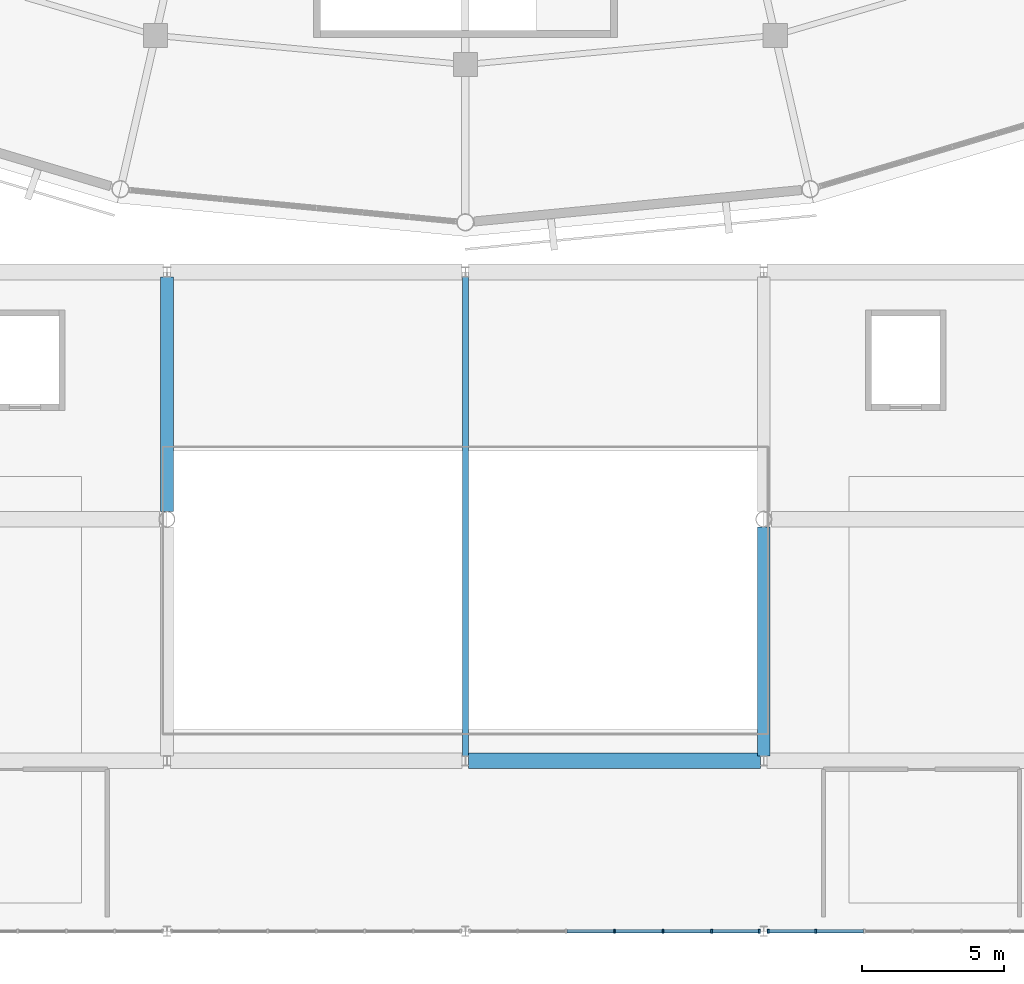
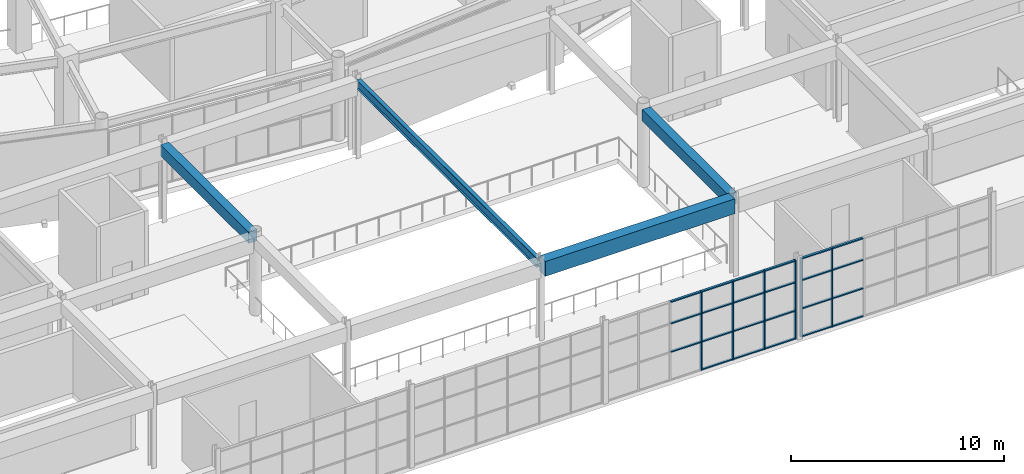
# One storey, part 26 of 112: 29 members, 4 beams, 2 elements without a shape of their own.
"""IFC4 building model written with IfcOpenShell, lengths in metres."""

from ifc_helpers import new_model, si_unit, direction, frame, origin, origin_2d, place, context, subcontext, project, spatial, rectangle, i_section, extrude, material, material_profile, profile_set, type_object, element, aggregate, save


model = new_model("IFC4")

# Units and contexts
model_context = context("Model", 3, precision=1e-05, world=origin(), true_north=direction((0.0, 1.0)))
body_context = subcontext(model_context, "Body", "Model", "MODEL_VIEW")
ifc_project = project(units=[si_unit("LENGTHUNIT", "METRE"), si_unit("AREAUNIT", "SQUARE_METRE"), si_unit("VOLUMEUNIT", "CUBIC_METRE"), si_unit("PLANEANGLEUNIT", "RADIAN"), si_unit("MASSUNIT", "GRAM", prefix="KILO")], contexts=[model_context])

# Site, building, storey
site_placement = place(None, origin())
site = spatial("IfcSite", under=ifc_project, at=site_placement, CompositionType="ELEMENT")
building_placement = place(site_placement, origin())
building = spatial("IfcBuilding", under=site, at=building_placement, Name="Cuetzalor Civic Arena", CompositionType="ELEMENT")
storey_placement = place(building_placement, frame((0.0, 0.0, 11.39990234375)))
storey = spatial("IfcBuildingStorey", under=building, at=storey_placement, Name="L02", CompositionType="ELEMENT", Elevation=11.39990234375)

# Beams
ifc_material_1 = material(Name="Concrete C40/50", Category="concrete")
ifc_material_profile_1 = material_profile(ifc_material_1, rectangle(XDim=0.550048828125, YDim=0.85009765625, at=origin_2d()), Name="RC 550x850")
ifc_profile_set_1 = profile_set([ifc_material_profile_1], Name="Concrete C40/50")
beam_type_1 = type_object("IfcBeamType", Name="ConcreteFrameBeam_550x850", PredefinedType="BEAM", material=ifc_profile_set_1)
beam_1_placement = place(storey_placement, frame((0.118408203125, -65.5, 4.09521484375), z_axis=(1.0, 0.0, 0.0), x_axis=(0.0, 1.0, 0.0)))
element("IfcBeam", 1, at=beam_1_placement, inside=storey, type_object=beam_type_1, Name="Frame Girder V3-L02-X0583", PredefinedType="BEAM", context=body_context, shape_type="SweptSolid", body=[
    extrude(rectangle(XDim=0.550048828125, YDim=0.85009765625, at=origin_2d()), origin(), (0.0, 0.0, 1.0), 10.26318359375),
])
ifc_material_2 = material(Name="Concrete C40/50", Category="concrete")
ifc_material_profile_2 = material_profile(ifc_material_2, rectangle(XDim=0.449951171875, YDim=0.64990234375, at=origin_2d()), Name="RC 450x650")
ifc_profile_set_2 = profile_set([ifc_material_profile_2], Name="Concrete C40/50")
beam_type_2 = type_object("IfcBeamType", Name="ConcreteTieBeam_450x650", PredefinedType="BEAM", material=ifc_profile_set_2)
beam_2_placement = place(storey_placement, frame((-10.5, -56.73046875, 4.195068359375), z_axis=(0.0, 1.0, 0.0), x_axis=(-1.0, 0.0, 0.0)))
element("IfcBeam", 2, at=beam_2_placement, inside=storey, type_object=beam_type_2, Name="Frame Girder V3-L02-Y0610", PredefinedType="BEAM", context=body_context, shape_type="SweptSolid", body=[
    extrude(rectangle(XDim=0.449951171875, YDim=0.64990234375, at=origin_2d()), origin(), (0.0, 0.0, 1.0), 8.259033203125),
])
beam_3_placement = place(storey_placement, frame((10.5, -65.32861328125, 4.195068359375), z_axis=(0.0, 1.0, 0.0), x_axis=(-1.0, 0.0, 0.0)))
element("IfcBeam", 3, at=beam_3_placement, inside=storey, type_object=beam_type_2, Name="Frame Girder V3-L02-Y0612", PredefinedType="BEAM", context=body_context, shape_type="SweptSolid", body=[
    extrude(rectangle(XDim=0.449951171875, YDim=0.64990234375, at=origin_2d()), origin(), (0.0, 0.0, 1.0), 8.05908203125),
])

# Curtain wall, members
ifc_material_3 = material(Name="Anodised dark bronze aluminium and low-E solar glass", Category="aluminium")
curtain_wall_type = type_object("IfcCurtainWallType", Name="StickCW_10250x4500", PredefinedType="USERDEFINED", material=ifc_material_3)
curtain_wall_1_placement = place(storey_placement, origin())
curtain_wall_1 = element("IfcCurtainWall", 4, at=curtain_wall_1_placement, inside=storey, type_object=curtain_wall_type, Name="South Civic Square Curtain Wall L02-089", ObjectType="STICK CURTAIN WALL", PredefinedType="USERDEFINED")
ifc_material_4 = material(Name="Anodised dark bronze aluminium", Category="aluminium")
ifc_material_profile_3 = material_profile(ifc_material_4, rectangle(XDim=0.06494140625, YDim=0.14990234375, at=origin_2d()), Name="ALU MULLION 65x150")
ifc_profile_set_3 = profile_set([ifc_material_profile_3], Name="Anodised dark bronze aluminium")
member_type_1 = type_object("IfcMemberType", Name="CurtainWallMullion_60x150", PredefinedType="MULLION", material=ifc_profile_set_3)
member_1_placement = place(storey_placement, frame((10.343017578125, -71.5, 0.0), z_axis=(0.0, 0.0, 1.0), x_axis=(-1.0, 0.0, 0.0)))
member_1 = element("IfcMember", 5, at=member_1_placement, type_object=member_type_1, Name="CW-27 mullion 1", PredefinedType="MULLION", context=body_context, shape_type="SweptSolid", body=[
    extrude(rectangle(XDim=0.06494140625, YDim=0.14990234375, at=origin_2d()), origin(), (0.0, 0.0, 1.0), 4.52001953125),
])
member_2_placement = place(storey_placement, frame((8.6669921875, -71.5, 0.0), z_axis=(0.0, 0.0, 1.0), x_axis=(-1.0, 0.0, 0.0)))
member_2 = element("IfcMember", 6, at=member_2_placement, type_object=member_type_1, Name="CW-27 mullion 2", PredefinedType="MULLION", context=body_context, shape_type="SweptSolid", body=[
    extrude(rectangle(XDim=0.06494140625, YDim=0.14990234375, at=origin_2d()), origin(), (0.0, 0.0, 1.0), 4.52001953125),
])
member_3_placement = place(storey_placement, frame((6.95849609375, -71.5, 0.0), z_axis=(0.0, 0.0, 1.0), x_axis=(-1.0, 0.0, 0.0)))
member_3 = element("IfcMember", 7, at=member_3_placement, type_object=member_type_1, Name="CW-27 mullion 3", PredefinedType="MULLION", context=body_context, shape_type="SweptSolid", body=[
    extrude(rectangle(XDim=0.06494140625, YDim=0.14990234375, at=origin_2d()), origin(), (0.0, 0.0, 1.0), 4.52001953125),
])
member_4_placement = place(storey_placement, frame((5.25, -71.5, 0.0), z_axis=(0.0, 0.0, 1.0), x_axis=(-1.0, 0.0, 0.0)))
member_4 = element("IfcMember", 8, at=member_4_placement, type_object=member_type_1, Name="CW-27 mullion 4", PredefinedType="MULLION", context=body_context, shape_type="SweptSolid", body=[
    extrude(rectangle(XDim=0.06494140625, YDim=0.14990234375, at=origin_2d()), origin(), (0.0, 0.0, 1.0), 4.52001953125),
])

curtain_wall_2_placement = place(storey_placement, origin())
curtain_wall_2 = element("IfcCurtainWall", 9, at=curtain_wall_2_placement, inside=storey, type_object=curtain_wall_type, Name="South Civic Square Curtain Wall L02-090", ObjectType="STICK CURTAIN WALL", PredefinedType="USERDEFINED")
member_5_placement = place(storey_placement, frame((12.3330078125, -71.5, 0.0), z_axis=(0.0, 0.0, 1.0), x_axis=(-1.0, 0.0, 0.0)))
member_5 = element("IfcMember", 10, at=member_5_placement, type_object=member_type_1, Name="CW-27 mullion 6", PredefinedType="MULLION", context=body_context, shape_type="SweptSolid", body=[
    extrude(rectangle(XDim=0.06494140625, YDim=0.14990234375, at=origin_2d()), origin(), (0.0, 0.0, 1.0), 4.52001953125),
])
member_6_placement = place(storey_placement, frame((10.656982421875, -71.5, 0.0), z_axis=(0.0, 0.0, 1.0), x_axis=(-1.0, 0.0, 0.0)))
member_6 = element("IfcMember", 11, at=member_6_placement, type_object=member_type_1, Name="CW-27 mullion 7", PredefinedType="MULLION", context=body_context, shape_type="SweptSolid", body=[
    extrude(rectangle(XDim=0.06494140625, YDim=0.14990234375, at=origin_2d()), origin(), (0.0, 0.0, 1.0), 4.52001953125),
])

# Member
ifc_material_5 = material(Name="Anodised dark bronze aluminium", Category="aluminium")
ifc_material_profile_4 = material_profile(ifc_material_5, rectangle(XDim=0.1201171875, YDim=0.06494140625, at=origin_2d()), Name="ALU TRANSOM 65x120")
ifc_profile_set_4 = profile_set([ifc_material_profile_4], Name="Anodised dark bronze aluminium")
member_type_2 = type_object("IfcMemberType", Name="CurtainWallTransom_60x120", PredefinedType="USERDEFINED", material=ifc_profile_set_4)
member_7_placement = place(storey_placement, frame((10.310546875, -71.5, 0.03271484375), z_axis=(-1.0, 0.0, 0.0), x_axis=(0.0, -1.0, 0.0)))
member_7 = element("IfcMember", 12, at=member_7_placement, type_object=member_type_2, Name="CW-27 transom 1.1", ObjectType="TRANSOM", PredefinedType="USERDEFINED", context=body_context, shape_type="SweptSolid", body=[
    extrude(rectangle(XDim=0.1201171875, YDim=0.06494140625, at=origin_2d()), origin(), (0.0, 0.0, 1.0), 1.611083984375),
])

member_8_placement = place(storey_placement, frame((10.310546875, -71.5, 1.627197265625), z_axis=(-1.0, 0.0, 0.0), x_axis=(0.0, -1.0, 0.0)))
member_8 = element("IfcMember", 13, at=member_8_placement, type_object=member_type_2, Name="CW-27 transom 1.2", ObjectType="TRANSOM", PredefinedType="USERDEFINED", context=body_context, shape_type="SweptSolid", body=[
    extrude(rectangle(XDim=0.1201171875, YDim=0.06494140625, at=origin_2d()), origin(), (0.0, 0.0, 1.0), 1.611083984375),
])

member_9_placement = place(storey_placement, frame((10.310546875, -71.5, 3.254150390625), z_axis=(-1.0, 0.0, 0.0), x_axis=(0.0, -1.0, 0.0)))
member_9 = element("IfcMember", 14, at=member_9_placement, type_object=member_type_2, Name="CW-27 transom 1.3", ObjectType="TRANSOM", PredefinedType="USERDEFINED", context=body_context, shape_type="SweptSolid", body=[
    extrude(rectangle(XDim=0.1201171875, YDim=0.06494140625, at=origin_2d()), origin(), (0.0, 0.0, 1.0), 1.611083984375),
])

member_10_placement = place(storey_placement, frame((10.310546875, -71.5, 4.487548828125), z_axis=(-1.0, 0.0, 0.0), x_axis=(0.0, -1.0, 0.0)))
member_10 = element("IfcMember", 15, at=member_10_placement, type_object=member_type_2, Name="CW-27 transom 1.4", ObjectType="TRANSOM", PredefinedType="USERDEFINED", context=body_context, shape_type="SweptSolid", body=[
    extrude(rectangle(XDim=0.1201171875, YDim=0.06494140625, at=origin_2d()), origin(), (0.0, 0.0, 1.0), 1.611083984375),
])

member_11_placement = place(storey_placement, frame((8.634521484375, -71.5, 0.03271484375), z_axis=(-1.0, 0.0, 0.0), x_axis=(0.0, -1.0, 0.0)))
member_11 = element("IfcMember", 16, at=member_11_placement, type_object=member_type_2, Name="CW-27 transom 2.1", ObjectType="TRANSOM", PredefinedType="USERDEFINED", context=body_context, shape_type="SweptSolid", body=[
    extrude(rectangle(XDim=0.1201171875, YDim=0.06494140625, at=origin_2d()), origin(), (0.0, 0.0, 1.0), 1.6435546875),
])

member_12_placement = place(storey_placement, frame((8.634521484375, -71.5, 1.627197265625), z_axis=(-1.0, 0.0, 0.0), x_axis=(0.0, -1.0, 0.0)))
member_12 = element("IfcMember", 17, at=member_12_placement, type_object=member_type_2, Name="CW-27 transom 2.2", ObjectType="TRANSOM", PredefinedType="USERDEFINED", context=body_context, shape_type="SweptSolid", body=[
    extrude(rectangle(XDim=0.1201171875, YDim=0.06494140625, at=origin_2d()), origin(), (0.0, 0.0, 1.0), 1.6435546875),
])

member_13_placement = place(storey_placement, frame((8.634521484375, -71.5, 3.254150390625), z_axis=(-1.0, 0.0, 0.0), x_axis=(0.0, -1.0, 0.0)))
member_13 = element("IfcMember", 18, at=member_13_placement, type_object=member_type_2, Name="CW-27 transom 2.3", ObjectType="TRANSOM", PredefinedType="USERDEFINED", context=body_context, shape_type="SweptSolid", body=[
    extrude(rectangle(XDim=0.1201171875, YDim=0.06494140625, at=origin_2d()), origin(), (0.0, 0.0, 1.0), 1.6435546875),
])

member_14_placement = place(storey_placement, frame((8.634521484375, -71.5, 4.487548828125), z_axis=(-1.0, 0.0, 0.0), x_axis=(0.0, -1.0, 0.0)))
member_14 = element("IfcMember", 19, at=member_14_placement, type_object=member_type_2, Name="CW-27 transom 2.4", ObjectType="TRANSOM", PredefinedType="USERDEFINED", context=body_context, shape_type="SweptSolid", body=[
    extrude(rectangle(XDim=0.1201171875, YDim=0.06494140625, at=origin_2d()), origin(), (0.0, 0.0, 1.0), 1.6435546875),
])

member_15_placement = place(storey_placement, frame((6.926025390625, -71.5, 0.03271484375), z_axis=(-1.0, 0.0, 0.0), x_axis=(0.0, -1.0, 0.0)))
member_15 = element("IfcMember", 20, at=member_15_placement, type_object=member_type_2, Name="CW-27 transom 3.1", ObjectType="TRANSOM", PredefinedType="USERDEFINED", context=body_context, shape_type="SweptSolid", body=[
    extrude(rectangle(XDim=0.1201171875, YDim=0.06494140625, at=origin_2d()), origin(), (0.0, 0.0, 1.0), 1.6435546875),
])

member_16_placement = place(storey_placement, frame((6.926025390625, -71.5, 1.627197265625), z_axis=(-1.0, 0.0, 0.0), x_axis=(0.0, -1.0, 0.0)))
member_16 = element("IfcMember", 21, at=member_16_placement, type_object=member_type_2, Name="CW-27 transom 3.2", ObjectType="TRANSOM", PredefinedType="USERDEFINED", context=body_context, shape_type="SweptSolid", body=[
    extrude(rectangle(XDim=0.1201171875, YDim=0.06494140625, at=origin_2d()), origin(), (0.0, 0.0, 1.0), 1.6435546875),
])

member_17_placement = place(storey_placement, frame((6.926025390625, -71.5, 3.254150390625), z_axis=(-1.0, 0.0, 0.0), x_axis=(0.0, -1.0, 0.0)))
member_17 = element("IfcMember", 22, at=member_17_placement, type_object=member_type_2, Name="CW-27 transom 3.3", ObjectType="TRANSOM", PredefinedType="USERDEFINED", context=body_context, shape_type="SweptSolid", body=[
    extrude(rectangle(XDim=0.1201171875, YDim=0.06494140625, at=origin_2d()), origin(), (0.0, 0.0, 1.0), 1.6435546875),
])

member_18_placement = place(storey_placement, frame((6.926025390625, -71.5, 4.487548828125), z_axis=(-1.0, 0.0, 0.0), x_axis=(0.0, -1.0, 0.0)))
member_18 = element("IfcMember", 23, at=member_18_placement, type_object=member_type_2, Name="CW-27 transom 3.4", ObjectType="TRANSOM", PredefinedType="USERDEFINED", context=body_context, shape_type="SweptSolid", body=[
    extrude(rectangle(XDim=0.1201171875, YDim=0.06494140625, at=origin_2d()), origin(), (0.0, 0.0, 1.0), 1.6435546875),
])

member_19_placement = place(storey_placement, frame((5.217529296875, -71.5, 1.627197265625), z_axis=(-1.0, 0.0, 0.0), x_axis=(0.0, -1.0, 0.0)))
member_19 = element("IfcMember", 24, at=member_19_placement, type_object=member_type_2, Name="CW-27 transom 4.2", ObjectType="TRANSOM", PredefinedType="USERDEFINED", context=body_context, shape_type="SweptSolid", body=[
    extrude(rectangle(XDim=0.1201171875, YDim=0.06494140625, at=origin_2d()), origin(), (0.0, 0.0, 1.0), 1.6435546875),
])

member_20_placement = place(storey_placement, frame((5.217529296875, -71.5, 3.254150390625), z_axis=(-1.0, 0.0, 0.0), x_axis=(0.0, -1.0, 0.0)))
member_20 = element("IfcMember", 25, at=member_20_placement, type_object=member_type_2, Name="CW-27 transom 4.3", ObjectType="TRANSOM", PredefinedType="USERDEFINED", context=body_context, shape_type="SweptSolid", body=[
    extrude(rectangle(XDim=0.1201171875, YDim=0.06494140625, at=origin_2d()), origin(), (0.0, 0.0, 1.0), 1.6435546875),
])

member_21_placement = place(storey_placement, frame((5.217529296875, -71.5, 4.487548828125), z_axis=(-1.0, 0.0, 0.0), x_axis=(0.0, -1.0, 0.0)))
member_21 = element("IfcMember", 26, at=member_21_placement, type_object=member_type_2, Name="CW-27 transom 4.4", ObjectType="TRANSOM", PredefinedType="USERDEFINED", context=body_context, shape_type="SweptSolid", body=[
    extrude(rectangle(XDim=0.1201171875, YDim=0.06494140625, at=origin_2d()), origin(), (0.0, 0.0, 1.0), 1.6435546875),
])

aggregate(curtain_wall_1, [member_1, member_2, member_3, member_4, member_7, member_8, member_9, member_10, member_11, member_12, member_13, member_14, member_15, member_16, member_17, member_18, member_19, member_20, member_21])

member_22_placement = place(storey_placement, frame((14.009033203125, -71.5, 0.03271484375), z_axis=(-1.0, 0.0, 0.0), x_axis=(0.0, -1.0, 0.0)))
member_22 = element("IfcMember", 27, at=member_22_placement, type_object=member_type_2, Name="CW-27 transom 5.1", ObjectType="TRANSOM", PredefinedType="USERDEFINED", context=body_context, shape_type="SweptSolid", body=[
    extrude(rectangle(XDim=0.1201171875, YDim=0.06494140625, at=origin_2d()), origin(), (0.0, 0.0, 1.0), 1.6435546875),
])

member_23_placement = place(storey_placement, frame((14.009033203125, -71.5, 1.627197265625), z_axis=(-1.0, 0.0, 0.0), x_axis=(0.0, -1.0, 0.0)))
member_23 = element("IfcMember", 28, at=member_23_placement, type_object=member_type_2, Name="CW-27 transom 5.2", ObjectType="TRANSOM", PredefinedType="USERDEFINED", context=body_context, shape_type="SweptSolid", body=[
    extrude(rectangle(XDim=0.1201171875, YDim=0.06494140625, at=origin_2d()), origin(), (0.0, 0.0, 1.0), 1.6435546875),
])

member_24_placement = place(storey_placement, frame((14.009033203125, -71.5, 3.254150390625), z_axis=(-1.0, 0.0, 0.0), x_axis=(0.0, -1.0, 0.0)))
member_24 = element("IfcMember", 29, at=member_24_placement, type_object=member_type_2, Name="CW-27 transom 5.3", ObjectType="TRANSOM", PredefinedType="USERDEFINED", context=body_context, shape_type="SweptSolid", body=[
    extrude(rectangle(XDim=0.1201171875, YDim=0.06494140625, at=origin_2d()), origin(), (0.0, 0.0, 1.0), 1.6435546875),
])

member_25_placement = place(storey_placement, frame((14.009033203125, -71.5, 4.487548828125), z_axis=(-1.0, 0.0, 0.0), x_axis=(0.0, -1.0, 0.0)))
member_25 = element("IfcMember", 30, at=member_25_placement, type_object=member_type_2, Name="CW-27 transom 5.4", ObjectType="TRANSOM", PredefinedType="USERDEFINED", context=body_context, shape_type="SweptSolid", body=[
    extrude(rectangle(XDim=0.1201171875, YDim=0.06494140625, at=origin_2d()), origin(), (0.0, 0.0, 1.0), 1.6435546875),
])

member_26_placement = place(storey_placement, frame((12.300537109375, -71.5, 0.03271484375), z_axis=(-1.0, 0.0, 0.0), x_axis=(0.0, -1.0, 0.0)))
member_26 = element("IfcMember", 31, at=member_26_placement, type_object=member_type_2, Name="CW-27 transom 6.1", ObjectType="TRANSOM", PredefinedType="USERDEFINED", context=body_context, shape_type="SweptSolid", body=[
    extrude(rectangle(XDim=0.1201171875, YDim=0.06494140625, at=origin_2d()), origin(), (0.0, 0.0, 1.0), 1.611083984375),
])

member_27_placement = place(storey_placement, frame((12.300537109375, -71.5, 1.627197265625), z_axis=(-1.0, 0.0, 0.0), x_axis=(0.0, -1.0, 0.0)))
member_27 = element("IfcMember", 32, at=member_27_placement, type_object=member_type_2, Name="CW-27 transom 6.2", ObjectType="TRANSOM", PredefinedType="USERDEFINED", context=body_context, shape_type="SweptSolid", body=[
    extrude(rectangle(XDim=0.1201171875, YDim=0.06494140625, at=origin_2d()), origin(), (0.0, 0.0, 1.0), 1.611083984375),
])

member_28_placement = place(storey_placement, frame((12.300537109375, -71.5, 3.254150390625), z_axis=(-1.0, 0.0, 0.0), x_axis=(0.0, -1.0, 0.0)))
member_28 = element("IfcMember", 33, at=member_28_placement, type_object=member_type_2, Name="CW-27 transom 6.3", ObjectType="TRANSOM", PredefinedType="USERDEFINED", context=body_context, shape_type="SweptSolid", body=[
    extrude(rectangle(XDim=0.1201171875, YDim=0.06494140625, at=origin_2d()), origin(), (0.0, 0.0, 1.0), 1.611083984375),
])

member_29_placement = place(storey_placement, frame((12.300537109375, -71.5, 4.487548828125), z_axis=(-1.0, 0.0, 0.0), x_axis=(0.0, -1.0, 0.0)))
member_29 = element("IfcMember", 34, at=member_29_placement, type_object=member_type_2, Name="CW-27 transom 6.4", ObjectType="TRANSOM", PredefinedType="USERDEFINED", context=body_context, shape_type="SweptSolid", body=[
    extrude(rectangle(XDim=0.1201171875, YDim=0.06494140625, at=origin_2d()), origin(), (0.0, 0.0, 1.0), 1.611083984375),
])

aggregate(curtain_wall_2, [member_5, member_6, member_22, member_23, member_24, member_25, member_26, member_27, member_28, member_29])

# Beam
ifc_material_6 = material(Name="Steel S355", Category="steel")
ifc_material_profile_5 = material_profile(ifc_material_6, i_section(OverallWidth=0.208984375, OverallDepth=0.532958984375, WebThickness=0.01025390625, FlangeThickness=0.015625, at=origin_2d()), Name="W530x92")
ifc_profile_set_5 = profile_set([ifc_material_profile_5], Name="Steel S355")
beam_type_3 = type_object("IfcBeamType", Name="SteelCollarGirder_W530", PredefinedType="BEAM", material=ifc_profile_set_5)
beam_4_placement = place(storey_placement, frame((0.0, -65.32861328125, 4.253662109375), z_axis=(0.0, 1.0, 0.0), x_axis=(-1.0, 0.0, 0.0)))
element("IfcBeam", 35, at=beam_4_placement, inside=storey, type_object=beam_type_3, Name="Frame Girder V3-L02-Y0611", PredefinedType="BEAM", context=body_context, shape_type="SweptSolid", body=[
    extrude(i_section(OverallWidth=0.208984375, OverallDepth=0.532958984375, WebThickness=0.01025390625, FlangeThickness=0.015625, at=origin_2d()), origin(), (0.0, 0.0, 1.0), 16.857177734375),
])

save(model, "model.ifc")
